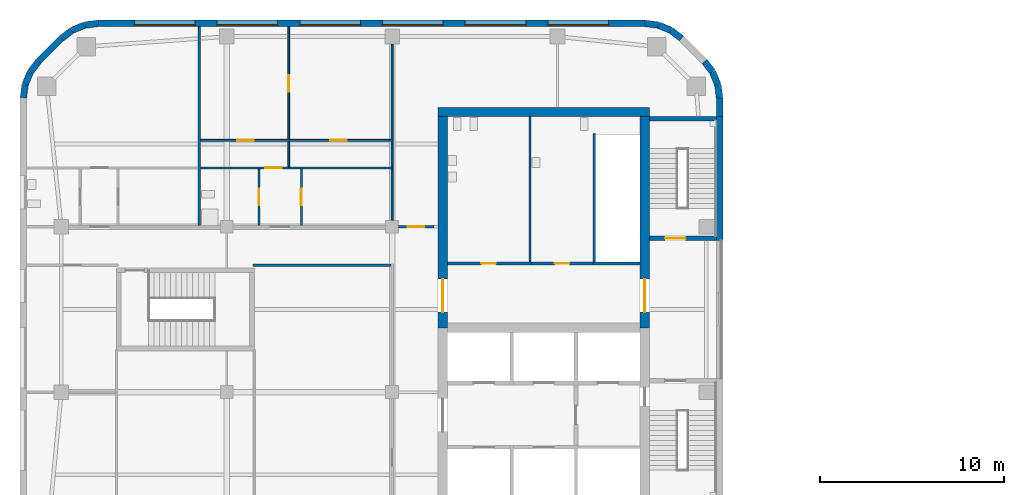
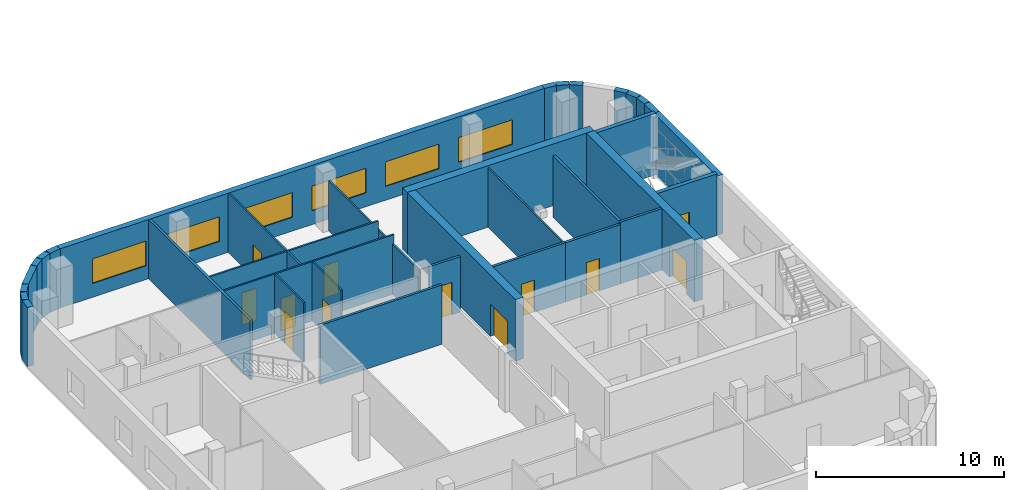
# One storey, part 7 of 16: 37 walls, 12 doors, 6 windows, 18 openings.
"""IFC4 building model written with IfcOpenShell, lengths in metres."""

from ifc_helpers import new_model, si_unit, direction, frame, frame_2d, origin, place, context, subcontext, project, spatial, rectangle, extrude, material, layer, layer_set, type_object, element, fill, save


model = new_model("IFC4")

# Units and contexts
model_context = context("Model", 3, precision=1e-05, world=origin(), true_north=direction((0.0, 1.0)))
body_context = subcontext(model_context, "Body", "Model", "MODEL_VIEW")
ifc_project = project(units=[si_unit("LENGTHUNIT", "METRE"), si_unit("AREAUNIT", "SQUARE_METRE"), si_unit("VOLUMEUNIT", "CUBIC_METRE"), si_unit("PLANEANGLEUNIT", "RADIAN"), si_unit("MASSUNIT", "GRAM", prefix="KILO")], contexts=[model_context])

# Site, building, storey
site_placement = place(None, origin())
site = spatial("IfcSite", under=ifc_project, at=site_placement, CompositionType="ELEMENT")
building_placement = place(site_placement, origin())
building = spatial("IfcBuilding", under=site, at=building_placement, Name="Cinnabar Reach Civic Tower", CompositionType="ELEMENT")
storey_placement = place(building_placement, frame((0.0, 0.0, 83.0)))
storey = spatial("IfcBuildingStorey", under=building, at=storey_placement, Name="L19", CompositionType="ELEMENT", Elevation=83.0)

# Walls
ifc_material_1 = material(Name="Facing brick with insulated backing", Category="masonry")
ifc_layer_1 = layer(ifc_material_1, 0.36)
ifc_layer_set_1 = layer_set([ifc_layer_1], Name="Brick corner wall")
wall_type_1 = type_object("IfcWallType", Name="Brick corner wall", PredefinedType="STANDARD", material=ifc_layer_set_1)
for number, where, z_axis, x_axis, name in (
    (1, (-27.183, 43.0186, 0.0), (0.0, 0.0, 1.0), (-0.13055608231, 0.99144092581, 0.0), "Brick corner wall"),
    (2, (-27.2819, 43.7473, 0.0), (0.0, 0.0, 1.0), (-0.382702709855, 0.923871547278, 0.0), "Brick corner wall"),
):
    element("IfcWall", number, at=place(storey_placement, frame(where, z_axis=z_axis, x_axis=x_axis)), inside=storey, type_object=wall_type_1, Name=name, PredefinedType="STANDARD", context=body_context, shape_type="SweptSolid", body=[
        extrude(rectangle(XDim=0.7131, YDim=0.36, at=frame_2d((0.3565, 0.0))), origin(), (0.0, 0.0, 1.0), 3.85),
    ])
for number, where, z_axis, x_axis, name in (
    (3, (-27.566, 44.4255, 0.0), (0.0, 0.0, 1.0), (-0.608802368033, 0.793321924995, 0.0), "Brick corner wall"),
    (4, (-29.2587, 46.2498, 0.0), (0.0, 0.0, 1.0), (-0.793321924995, 0.608802368033, 0.0), "Brick corner wall"),
):
    element("IfcWall", number, at=place(storey_placement, frame(where, z_axis=z_axis, x_axis=x_axis)), inside=storey, type_object=wall_type_1, Name=name, PredefinedType="STANDARD", context=body_context, shape_type="SweptSolid", body=[
        extrude(rectangle(XDim=0.7132, YDim=0.36, at=frame_2d((0.3566, 0.0))), origin(), (0.0, 0.0, 1.0), 3.85),
    ])
for number, where, z_axis, x_axis, name in (
    (5, (-29.8439, 46.6952, 0.0), (0.0, 0.0, 1.0), (-0.923871547278, 0.382702709855, 0.0), "Brick corner wall"),
    (6, (-30.5244, 46.9739, 0.0), (0.0, 0.0, 1.0), (-0.99144092581, 0.13055608231, 0.0), "Brick corner wall"),
    (7, (-61.0186, 47.067, 0.0), (0.0, 0.0, 1.0), (-0.99144092581, -0.13055608231, 0.0), "Brick corner wall"),
    (8, (-61.7473, 46.9681, 0.0), (0.0, 0.0, 1.0), (-0.923871547278, -0.382702709855, 0.0), "Brick corner wall"),
):
    element("IfcWall", number, at=place(storey_placement, frame(where, z_axis=z_axis, x_axis=x_axis)), inside=storey, type_object=wall_type_1, Name=name, PredefinedType="STANDARD", context=body_context, shape_type="SweptSolid", body=[
        extrude(rectangle(XDim=0.7131, YDim=0.36, at=frame_2d((0.3565, 0.0))), origin(), (0.0, 0.0, 1.0), 3.85),
    ])
for number, where, z_axis, x_axis, name in (
    (9, (-62.4255, 46.684, 0.0), (0.0, 0.0, 1.0), (-0.793321924995, -0.608802368033, 0.0), "Brick corner wall"),
    (10, (-64.2498, 44.9913, 0.0), (0.0, 0.0, 1.0), (-0.608802368033, -0.793321924995, 0.0), "Brick corner wall"),
):
    element("IfcWall", number, at=place(storey_placement, frame(where, z_axis=z_axis, x_axis=x_axis)), inside=storey, type_object=wall_type_1, Name=name, PredefinedType="STANDARD", context=body_context, shape_type="SweptSolid", body=[
        extrude(rectangle(XDim=0.7132, YDim=0.36, at=frame_2d((0.3566, 0.0))), origin(), (0.0, 0.0, 1.0), 3.85),
    ])
for number, where, z_axis, x_axis, name in (
    (11, (-64.6952, 44.4061, 0.0), (0.0, 0.0, 1.0), (-0.382702709855, -0.923871547278, 0.0), "Brick corner wall"),
    (12, (-64.9739, 43.7256, 0.0), (0.0, 0.0, 1.0), (-0.13055608231, -0.99144092581, 0.0), "Brick corner wall"),
):
    element("IfcWall", number, at=place(storey_placement, frame(where, z_axis=z_axis, x_axis=x_axis)), inside=storey, type_object=wall_type_1, Name=name, PredefinedType="STANDARD", context=body_context, shape_type="SweptSolid", body=[
        extrude(rectangle(XDim=0.7131, YDim=0.36, at=frame_2d((0.3565, 0.0))), origin(), (0.0, 0.0, 1.0), 3.85),
    ])
ifc_layer_2 = layer(ifc_material_1, 0.36)
ifc_layer_set_2 = layer_set([ifc_layer_2], Name="Brick pier and spandrel wall")
wall_type_2 = type_object("IfcWallType", Name="Brick pier and spandrel wall", PredefinedType="STANDARD", material=ifc_layer_set_2)
wall_1_placement = place(storey_placement, frame((-27.18, 35.25, 0.0), z_axis=(0.0, 0.0, 1.0), x_axis=(0.0, 1.0, 0.0)))
element("IfcWall", 13, at=wall_1_placement, inside=storey, type_object=wall_type_2, Name="Brick facade wall", PredefinedType="STANDARD", context=body_context, shape_type="SweptSolid", body=[
    extrude(rectangle(XDim=6.75, YDim=0.36, at=frame_2d((3.375, 0.0))), origin(), (0.0, 0.0, 1.0), 3.85),
])
wall_2_placement = place(storey_placement, frame((-27.18, 42.0, 0.0), z_axis=(0.0, 0.0, 1.0), x_axis=(0.0, 1.0, 0.0)))
element("IfcWall", 14, at=wall_2_placement, inside=storey, type_object=wall_type_2, Name="Brick facade wall", PredefinedType="STANDARD", context=body_context, shape_type="SweptSolid", body=[
    extrude(rectangle(XDim=1.0074, YDim=0.36, at=frame_2d((0.5037, 0.0))), origin(), (0.0, 0.0, 1.0), 3.85),
])

# Wall, openings, windows
wall_3_placement = place(storey_placement, frame((-31.2426, 47.07, 0.0), z_axis=(0.0, 0.0, 1.0), x_axis=(-1.0, 0.0, 0.0)))
wall_3 = element("IfcWall", 15, at=wall_3_placement, inside=storey, type_object=wall_type_2, Name="Brick facade wall", PredefinedType="STANDARD", context=body_context, shape_type="SweptSolid", body=[
    extrude(rectangle(XDim=29.7648, YDim=0.36, at=frame_2d((14.8824, 0.0))), origin(), (0.0, 0.0, 1.0), 3.85),
])
opening_1_placement = place(wall_3_placement, frame((1.9824, 0.0, 0.9)))
opening_1 = element("IfcOpeningElement", 16, at=opening_1_placement, cuts=wall_3, Name="Opening W2609", PredefinedType="OPENING", context=body_context, shape_type="SweptSolid", body=[
    extrude(rectangle(XDim=3.3, YDim=1.6, at=frame_2d((1.65, 0.8))), frame((0.0, 0.19, 0.0), z_axis=(0.0, -1.0, 0.0), x_axis=(1.0, 0.0, 0.0)), (0.0, 0.0, 1.0), 0.38),
])
opening_2_placement = place(wall_3_placement, frame((6.4824, 0.0, 0.9)))
opening_2 = element("IfcOpeningElement", 17, at=opening_2_placement, cuts=wall_3, Name="Opening W2610", PredefinedType="OPENING", context=body_context, shape_type="SweptSolid", body=[
    extrude(rectangle(XDim=3.3, YDim=1.6, at=frame_2d((1.65, 0.8))), frame((0.0, 0.19, 0.0), z_axis=(0.0, -1.0, 0.0), x_axis=(1.0, 0.0, 0.0)), (0.0, 0.0, 1.0), 0.38),
])
opening_3_placement = place(wall_3_placement, frame((10.9824, 0.0, 0.9)))
opening_3 = element("IfcOpeningElement", 18, at=opening_3_placement, cuts=wall_3, Name="Opening W2611", PredefinedType="OPENING", context=body_context, shape_type="SweptSolid", body=[
    extrude(rectangle(XDim=3.3, YDim=1.6, at=frame_2d((1.65, 0.8))), frame((0.0, 0.19, 0.0), z_axis=(0.0, -1.0, 0.0), x_axis=(1.0, 0.0, 0.0)), (0.0, 0.0, 1.0), 0.38),
])
opening_4_placement = place(wall_3_placement, frame((15.4824, 0.0, 0.9)))
opening_4 = element("IfcOpeningElement", 19, at=opening_4_placement, cuts=wall_3, Name="Opening W2612", PredefinedType="OPENING", context=body_context, shape_type="SweptSolid", body=[
    extrude(rectangle(XDim=3.3, YDim=1.6, at=frame_2d((1.65, 0.8))), frame((0.0, 0.19, 0.0), z_axis=(0.0, -1.0, 0.0), x_axis=(1.0, 0.0, 0.0)), (0.0, 0.0, 1.0), 0.38),
])
opening_5_placement = place(wall_3_placement, frame((19.9824, 0.0, 0.9)))
opening_5 = element("IfcOpeningElement", 20, at=opening_5_placement, cuts=wall_3, Name="Opening W2613", PredefinedType="OPENING", context=body_context, shape_type="SweptSolid", body=[
    extrude(rectangle(XDim=3.3, YDim=1.6, at=frame_2d((1.65, 0.8))), frame((0.0, 0.19, 0.0), z_axis=(0.0, -1.0, 0.0), x_axis=(1.0, 0.0, 0.0)), (0.0, 0.0, 1.0), 0.38),
])
opening_6_placement = place(wall_3_placement, frame((24.4824, 0.0, 0.9)))
opening_6 = element("IfcOpeningElement", 21, at=opening_6_placement, cuts=wall_3, Name="Opening W2614", PredefinedType="OPENING", context=body_context, shape_type="SweptSolid", body=[
    extrude(rectangle(XDim=3.3, YDim=1.6, at=frame_2d((1.65, 0.8))), frame((0.0, 0.19, 0.0), z_axis=(0.0, -1.0, 0.0), x_axis=(1.0, 0.0, 0.0)), (0.0, 0.0, 1.0), 0.38),
])
ifc_material_2 = material(Name="Clear double glazing in aluminium frame", Category="aluminium")
window_type = type_object("IfcWindowType", Name="Deep-set window A", PartitioningType="SINGLE_PANEL", PredefinedType="WINDOW", material=ifc_material_2)
window_1_placement = place(opening_1_placement, origin())
window_1 = element("IfcWindow", 22, at=window_1_placement, inside=storey, type_object=window_type, Name="Window north face", OverallHeight=1.6, OverallWidth=3.3, PartitioningType="SINGLE_PANEL", PredefinedType="WINDOW", context=body_context, shape_type="SweptSolid", body=[
    extrude(rectangle(XDim=3.3, YDim=1.6, at=frame_2d((1.65, 0.8))), frame((0.0, 0.13, 0.0), z_axis=(0.0, -1.0, 0.0), x_axis=(1.0, 0.0, 0.0)), (0.0, 0.0, 1.0), 0.06),
])
fill(opening_1, window_1)
window_2_placement = place(opening_2_placement, origin())
window_2 = element("IfcWindow", 23, at=window_2_placement, inside=storey, type_object=window_type, Name="Window north face", OverallHeight=1.6, OverallWidth=3.3, PartitioningType="SINGLE_PANEL", PredefinedType="WINDOW", context=body_context, shape_type="SweptSolid", body=[
    extrude(rectangle(XDim=3.3, YDim=1.6, at=frame_2d((1.65, 0.8))), frame((0.0, 0.13, 0.0), z_axis=(0.0, -1.0, 0.0), x_axis=(1.0, 0.0, 0.0)), (0.0, 0.0, 1.0), 0.06),
])
fill(opening_2, window_2)
window_3_placement = place(opening_3_placement, origin())
window_3 = element("IfcWindow", 24, at=window_3_placement, inside=storey, type_object=window_type, Name="Window north face", OverallHeight=1.6, OverallWidth=3.3, PartitioningType="SINGLE_PANEL", PredefinedType="WINDOW", context=body_context, shape_type="SweptSolid", body=[
    extrude(rectangle(XDim=3.3, YDim=1.6, at=frame_2d((1.65, 0.8))), frame((0.0, 0.13, 0.0), z_axis=(0.0, -1.0, 0.0), x_axis=(1.0, 0.0, 0.0)), (0.0, 0.0, 1.0), 0.06),
])
fill(opening_3, window_3)
window_4_placement = place(opening_4_placement, origin())
window_4 = element("IfcWindow", 25, at=window_4_placement, inside=storey, type_object=window_type, Name="Window north face", OverallHeight=1.6, OverallWidth=3.3, PartitioningType="SINGLE_PANEL", PredefinedType="WINDOW", context=body_context, shape_type="SweptSolid", body=[
    extrude(rectangle(XDim=3.3, YDim=1.6, at=frame_2d((1.65, 0.8))), frame((0.0, 0.13, 0.0), z_axis=(0.0, -1.0, 0.0), x_axis=(1.0, 0.0, 0.0)), (0.0, 0.0, 1.0), 0.06),
])
fill(opening_4, window_4)
window_5_placement = place(opening_5_placement, origin())
window_5 = element("IfcWindow", 26, at=window_5_placement, inside=storey, type_object=window_type, Name="Window north face", OverallHeight=1.6, OverallWidth=3.3, PartitioningType="SINGLE_PANEL", PredefinedType="WINDOW", context=body_context, shape_type="SweptSolid", body=[
    extrude(rectangle(XDim=3.3, YDim=1.6, at=frame_2d((1.65, 0.8))), frame((0.0, 0.13, 0.0), z_axis=(0.0, -1.0, 0.0), x_axis=(1.0, 0.0, 0.0)), (0.0, 0.0, 1.0), 0.06),
])
fill(opening_5, window_5)
window_6_placement = place(opening_6_placement, origin())
window_6 = element("IfcWindow", 27, at=window_6_placement, inside=storey, type_object=window_type, Name="Window north face", OverallHeight=1.6, OverallWidth=3.3, PartitioningType="SINGLE_PANEL", PredefinedType="WINDOW", context=body_context, shape_type="SweptSolid", body=[
    extrude(rectangle(XDim=3.3, YDim=1.6, at=frame_2d((1.65, 0.8))), frame((0.0, 0.13, 0.0), z_axis=(0.0, -1.0, 0.0), x_axis=(1.0, 0.0, 0.0)), (0.0, 0.0, 1.0), 0.06),
])
fill(opening_6, window_6)

# Walls
wall_4_placement = place(storey_placement, frame((-63.0014, 46.244, 0.0), z_axis=(0.0, 0.0, 1.0), x_axis=(-0.707106781187, -0.707106781187, 0.0)))
element("IfcWall", 28, at=wall_4_placement, inside=storey, type_object=wall_type_2, Name="Brick facade wall", PredefinedType="STANDARD", context=body_context, shape_type="SweptSolid", body=[
    extrude(rectangle(XDim=1.7573, YDim=0.36, at=frame_2d((0.8787, 0.0))), origin(), (0.0, 0.0, 1.0), 3.85),
])
ifc_material_3 = material(Name="Concrete C60", Category="concrete")
ifc_layer_3 = layer(ifc_material_3, 0.5)
ifc_layer_set_3 = layer_set([ifc_layer_3], Name="Core wall 500 EI 180")
wall_type_3 = type_object("IfcWallType", Name="Core wall 500 EI 180", PredefinedType="SOLIDWALL", material=ifc_layer_set_3)
wall_5_placement = place(storey_placement, frame((-31.0, 42.25, 0.0), z_axis=(0.0, 0.0, 1.0), x_axis=(-1.0, 0.0, 0.0)))
element("IfcWall", 29, at=wall_5_placement, inside=storey, type_object=wall_type_3, Name="Core wall T2 L19 N", PredefinedType="SOLIDWALL", context=body_context, shape_type="SweptSolid", body=[
    extrude(rectangle(XDim=11.5, YDim=0.5, at=frame_2d((5.75, 0.0))), origin(), (0.0, 0.0, 1.0), 4.0),
])

# Wall, opening, door
wall_6_placement = place(storey_placement, frame((-31.25, 30.5, 0.0), z_axis=(0.0, 0.0, 1.0), x_axis=(0.0, 1.0, 0.0)))
wall_6 = element("IfcWall", 30, at=wall_6_placement, inside=storey, type_object=wall_type_3, Name="Core wall T2 L19 E2", PredefinedType="SOLIDWALL", context=body_context, shape_type="SweptSolid", body=[
    extrude(rectangle(XDim=11.5, YDim=0.5, at=frame_2d((5.75, 0.0))), origin(), (0.0, 0.0, 1.0), 4.0),
])
opening_7_placement = place(wall_6_placement, frame((0.85, 0.0, 0.0)))
opening_7 = element("IfcOpeningElement", 31, at=opening_7_placement, cuts=wall_6, Name="Opening D6716", PredefinedType="OPENING", context=body_context, shape_type="SweptSolid", body=[
    extrude(rectangle(XDim=1.8, YDim=2.1, at=frame_2d((0.9, 1.05))), frame((0.0, 0.26, 0.0), z_axis=(0.0, -1.0, 0.0), x_axis=(1.0, 0.0, 0.0)), (0.0, 0.0, 1.0), 0.52),
])
ifc_material_4 = material(Name="Steel fire door", Category="steel")
door_type_1 = type_object("IfcDoorType", Name="T2 Double door 1800", OperationType="DOUBLE_DOOR_SINGLE_SWING", PredefinedType="DOOR", material=ifc_material_4)
door_1_placement = place(opening_7_placement, origin())
door_1 = element("IfcDoor", 32, at=door_1_placement, inside=storey, type_object=door_type_1, Name="T2 Double door D6716", OperationType="DOUBLE_DOOR_SINGLE_SWING", OverallHeight=2.1, OverallWidth=1.8, PredefinedType="DOOR", context=body_context, shape_type="SweptSolid", body=[
    extrude(rectangle(XDim=1.8, YDim=2.1, at=frame_2d((0.9, 1.05))), frame((0.0, 0.025, 0.0), z_axis=(0.0, -1.0, 0.0), x_axis=(1.0, 0.0, 0.0)), (0.0, 0.0, 1.0), 0.05),
])
fill(opening_7, door_1)

wall_7_placement = place(storey_placement, frame((-42.25, 42.0, 0.0), z_axis=(0.0, 0.0, 1.0), x_axis=(0.0, -1.0, 0.0)))
wall_7 = element("IfcWall", 33, at=wall_7_placement, inside=storey, type_object=wall_type_3, Name="Core wall T2 L19 W", PredefinedType="SOLIDWALL", context=body_context, shape_type="SweptSolid", body=[
    extrude(rectangle(XDim=11.5, YDim=0.5, at=frame_2d((5.75, 0.0))), origin(), (0.0, 0.0, 1.0), 4.0),
])
opening_8_placement = place(wall_7_placement, frame((8.85, 0.0, 0.0)))
opening_8 = element("IfcOpeningElement", 34, at=opening_8_placement, cuts=wall_7, Name="Opening D6718", PredefinedType="OPENING", context=body_context, shape_type="SweptSolid", body=[
    extrude(rectangle(XDim=1.8, YDim=2.1, at=frame_2d((0.9, 1.05))), frame((0.0, 0.26, 0.0), z_axis=(0.0, -1.0, 0.0), x_axis=(1.0, 0.0, 0.0)), (0.0, 0.0, 1.0), 0.52),
])
door_2_placement = place(opening_8_placement, frame((1.8, 0.0, 0.0), z_axis=(0.0, 0.0, 1.0), x_axis=(-1.0, 0.0, 0.0)))
door_2 = element("IfcDoor", 35, at=door_2_placement, inside=storey, type_object=door_type_1, Name="T2 Double door D6718", OperationType="DOUBLE_DOOR_SINGLE_SWING", OverallHeight=2.1, OverallWidth=1.8, PredefinedType="DOOR", context=body_context, shape_type="SweptSolid", body=[
    extrude(rectangle(XDim=1.8, YDim=2.1, at=frame_2d((0.9, 1.05))), frame((0.0, 0.025, 0.0), z_axis=(0.0, -1.0, 0.0), x_axis=(1.0, 0.0, 0.0)), (0.0, 0.0, 1.0), 0.05),
])
fill(opening_8, door_2)

ifc_material_5 = material(Name="Gypsum board on steel studs, double layer", Category="steel")
ifc_layer_4 = layer(ifc_material_5, 0.15)
ifc_layer_set_4 = layer_set([ifc_layer_4], Name="Corridor wall 150 T2")
wall_type_4 = type_object("IfcWallType", Name="Corridor wall 150 T2", PredefinedType="PARTITIONING", material=ifc_layer_set_4)
wall_8_placement = place(storey_placement, frame((-44.65, 36.0, 0.0), z_axis=(0.0, 0.0, 1.0), x_axis=(1.0, 0.0, 0.0)))
wall_8 = element("IfcWall", 36, at=wall_8_placement, inside=storey, type_object=wall_type_4, Name="Corridor wall 5", PredefinedType="PARTITIONING", context=body_context, shape_type="SweptSolid", body=[
    extrude(rectangle(XDim=1.925, YDim=0.15, at=frame_2d((0.9625, 0.0))), origin(), (0.0, 0.0, 1.0), 3.602),
])
opening_9_placement = place(wall_8_placement, frame((0.5, 0.0, 0.0)))
opening_9 = element("IfcOpeningElement", 37, at=opening_9_placement, cuts=wall_8, Name="Opening D6721", PredefinedType="OPENING", context=body_context, shape_type="SweptSolid", body=[
    extrude(rectangle(XDim=0.9, YDim=2.1, at=frame_2d((0.45, 1.05))), frame((0.0, 0.085, 0.0), z_axis=(0.0, -1.0, 0.0), x_axis=(1.0, 0.0, 0.0)), (0.0, 0.0, 1.0), 0.17),
])
ifc_material_6 = material(Name="Timber door leaf in steel frame", Category="steel")
door_type_2 = type_object("IfcDoorType", Name="Single swing door 900 x 2100 T2", OperationType="SINGLE_SWING_LEFT", PredefinedType="DOOR", material=ifc_material_6)
door_3_placement = place(opening_9_placement, origin())
door_3 = element("IfcDoor", 38, at=door_3_placement, inside=storey, type_object=door_type_2, Name="Door D6721", OperationType="SINGLE_SWING_LEFT", OverallHeight=2.1, OverallWidth=0.9, PredefinedType="DOOR", context=body_context, shape_type="SweptSolid", body=[
    extrude(rectangle(XDim=0.9, YDim=2.1, at=frame_2d((0.45, 1.05))), frame((0.0, 0.025, 0.0), z_axis=(0.0, -1.0, 0.0), x_axis=(1.0, 0.0, 0.0)), (0.0, 0.0, 1.0), 0.05),
])
fill(opening_9, door_3)

# Wall
wall_9_placement = place(storey_placement, frame((-52.575, 33.9, 0.0), z_axis=(0.0, 0.0, 1.0), x_axis=(1.0, 0.0, 0.0)))
element("IfcWall", 39, at=wall_9_placement, inside=storey, type_object=wall_type_4, Name="Corridor wall 12", PredefinedType="PARTITIONING", context=body_context, shape_type="SweptSolid", body=[
    extrude(rectangle(XDim=7.5, YDim=0.15, at=frame_2d((3.75, 0.0))), origin(), (0.0, 0.0, 1.0), 3.85),
])

# Wall, opening, door
ifc_material_7 = material(Name="Gypsum board on steel studs", Category="steel")
ifc_layer_5 = layer(ifc_material_7, 0.1)
ifc_layer_set_5 = layer_set([ifc_layer_5], Name="Partition wall 100 T2")
wall_type_5 = type_object("IfcWallType", Name="Partition wall 100 T2", PredefinedType="PARTITIONING", material=ifc_layer_set_5)
wall_10_placement = place(storey_placement, frame((-55.425, 39.2, 0.0), z_axis=(0.0, 0.0, 1.0), x_axis=(1.0, 0.0, 0.0)))
wall_10 = element("IfcWall", 40, at=wall_10_placement, inside=storey, type_object=wall_type_5, Name="Partition wall 18", PredefinedType="PARTITIONING", context=body_context, shape_type="SweptSolid", body=[
    extrude(rectangle(XDim=10.475, YDim=0.1, at=frame_2d((5.2375, 0.0))), origin(), (0.0, 0.0, 1.0), 3.85),
])
opening_10_placement = place(wall_10_placement, frame((3.53, 0.0, 0.0)))
opening_10 = element("IfcOpeningElement", 41, at=opening_10_placement, cuts=wall_10, Name="Opening D6738", PredefinedType="OPENING", context=body_context, shape_type="SweptSolid", body=[
    extrude(rectangle(XDim=0.9, YDim=2.1, at=frame_2d((0.45, 1.05))), frame((0.0, 0.06, 0.0), z_axis=(0.0, -1.0, 0.0), x_axis=(1.0, 0.0, 0.0)), (0.0, 0.0, 1.0), 0.12),
])
door_4_placement = place(opening_10_placement, origin())
door_4 = element("IfcDoor", 42, at=door_4_placement, inside=storey, type_object=door_type_2, Name="Door D6738", OperationType="SINGLE_SWING_RIGHT", OverallHeight=2.1, OverallWidth=0.9, PredefinedType="DOOR", context=body_context, shape_type="SweptSolid", body=[
    extrude(rectangle(XDim=0.9, YDim=2.1, at=frame_2d((0.45, 1.05))), frame((0.0, 0.025, 0.0), z_axis=(0.0, -1.0, 0.0), x_axis=(1.0, 0.0, 0.0)), (0.0, 0.0, 1.0), 0.05),
])
fill(opening_10, door_4)

# Walls
wall_11_placement = place(storey_placement, frame((-45.0, 39.25, 0.0), z_axis=(0.0, 0.0, 1.0), x_axis=(0.0, 1.0, 0.0)))
element("IfcWall", 43, at=wall_11_placement, inside=storey, type_object=wall_type_5, Name="Partition wall 20", PredefinedType="PARTITIONING", context=body_context, shape_type="SweptSolid", body=[
    extrude(rectangle(XDim=6.7, YDim=0.1, at=frame_2d((3.35, 0.0))), origin(), (0.0, 0.0, 1.0), 3.256),
])
wall_12_placement = place(storey_placement, frame((-45.0, 36.35, 0.0), z_axis=(0.0, 0.0, 1.0), x_axis=(0.0, 1.0, 0.0)))
element("IfcWall", 44, at=wall_12_placement, inside=storey, type_object=wall_type_5, Name="Partition wall 21", PredefinedType="PARTITIONING", context=body_context, shape_type="SweptSolid", body=[
    extrude(rectangle(XDim=2.8, YDim=0.1, at=frame_2d((1.4, 0.0))), origin(), (0.0, 0.0, 1.0), 3.256),
])

# Wall, openings, doors
wall_13_placement = place(storey_placement, frame((-55.425, 40.7, 0.0), z_axis=(0.0, 0.0, 1.0), x_axis=(1.0, 0.0, 0.0)))
wall_13 = element("IfcWall", 45, at=wall_13_placement, inside=storey, type_object=wall_type_5, Name="Partition wall 22", PredefinedType="PARTITIONING", context=body_context, shape_type="SweptSolid", body=[
    extrude(rectangle(XDim=10.375, YDim=0.1, at=frame_2d((5.1875, 0.0))), origin(), (0.0, 0.0, 1.0), 3.85),
])
opening_11_placement = place(wall_13_placement, frame((2.0, 0.0, 0.0)))
opening_11 = element("IfcOpeningElement", 46, at=opening_11_placement, cuts=wall_13, Name="Opening D6740", PredefinedType="OPENING", context=body_context, shape_type="SweptSolid", body=[
    extrude(rectangle(XDim=0.9, YDim=2.1, at=frame_2d((0.45, 1.05))), frame((0.0, 0.06, 0.0), z_axis=(0.0, -1.0, 0.0), x_axis=(1.0, 0.0, 0.0)), (0.0, 0.0, 1.0), 0.12),
])
opening_12_placement = place(wall_13_placement, frame((7.045, 0.0, 0.0)))
opening_12 = element("IfcOpeningElement", 47, at=opening_12_placement, cuts=wall_13, Name="Opening D6741", PredefinedType="OPENING", context=body_context, shape_type="SweptSolid", body=[
    extrude(rectangle(XDim=0.9, YDim=2.1, at=frame_2d((0.45, 1.05))), frame((0.0, 0.06, 0.0), z_axis=(0.0, -1.0, 0.0), x_axis=(1.0, 0.0, 0.0)), (0.0, 0.0, 1.0), 0.12),
])
door_5_placement = place(opening_11_placement, frame((0.9, 0.0, 0.0), z_axis=(0.0, 0.0, 1.0), x_axis=(-1.0, 0.0, 0.0)))
door_5 = element("IfcDoor", 48, at=door_5_placement, inside=storey, type_object=door_type_2, Name="Door D6740", OperationType="SINGLE_SWING_RIGHT", OverallHeight=2.1, OverallWidth=0.9, PredefinedType="DOOR", context=body_context, shape_type="SweptSolid", body=[
    extrude(rectangle(XDim=0.9, YDim=2.1, at=frame_2d((0.45, 1.05))), frame((0.0, 0.025, 0.0), z_axis=(0.0, -1.0, 0.0), x_axis=(1.0, 0.0, 0.0)), (0.0, 0.0, 1.0), 0.05),
])
fill(opening_11, door_5)
door_6_placement = place(opening_12_placement, origin())
door_6 = element("IfcDoor", 49, at=door_6_placement, inside=storey, type_object=door_type_2, Name="Door D6741", OperationType="SINGLE_SWING_RIGHT", OverallHeight=2.1, OverallWidth=0.9, PredefinedType="DOOR", context=body_context, shape_type="SweptSolid", body=[
    extrude(rectangle(XDim=0.9, YDim=2.1, at=frame_2d((0.45, 1.05))), frame((0.0, 0.025, 0.0), z_axis=(0.0, -1.0, 0.0), x_axis=(1.0, 0.0, 0.0)), (0.0, 0.0, 1.0), 0.05),
])
fill(opening_12, door_6)

# Wall
wall_14_placement = place(storey_placement, frame((-50.63, 39.25, 0.0), z_axis=(0.0, 0.0, 1.0), x_axis=(0.0, 1.0, 0.0)))
element("IfcWall", 50, at=wall_14_placement, inside=storey, type_object=wall_type_5, Name="Partition wall 28", PredefinedType="PARTITIONING", context=body_context, shape_type="SweptSolid", body=[
    extrude(rectangle(XDim=1.4, YDim=0.1, at=frame_2d((0.7, 0.0))), origin(), (0.0, 0.0, 1.0), 3.85),
])

# Wall, opening, door
wall_15_placement = place(storey_placement, frame((-50.63, 40.75, 0.0), z_axis=(0.0, 0.0, 1.0), x_axis=(0.0, 1.0, 0.0)))
wall_15 = element("IfcWall", 51, at=wall_15_placement, inside=storey, type_object=wall_type_5, Name="Partition wall 29", PredefinedType="PARTITIONING", context=body_context, shape_type="SweptSolid", body=[
    extrude(rectangle(XDim=6.14, YDim=0.1, at=frame_2d((3.07, 0.0))), origin(), (0.0, 0.0, 1.0), 3.85),
])
opening_13_placement = place(wall_15_placement, frame((2.6, 0.0, 0.0)))
opening_13 = element("IfcOpeningElement", 52, at=opening_13_placement, cuts=wall_15, Name="Opening D6739", PredefinedType="OPENING", context=body_context, shape_type="SweptSolid", body=[
    extrude(rectangle(XDim=0.9, YDim=2.1, at=frame_2d((0.45, 1.05))), frame((0.0, 0.06, 0.0), z_axis=(0.0, -1.0, 0.0), x_axis=(1.0, 0.0, 0.0)), (0.0, 0.0, 1.0), 0.12),
])
door_7_placement = place(opening_13_placement, frame((0.9, 0.0, 0.0), z_axis=(0.0, 0.0, 1.0), x_axis=(-1.0, 0.0, 0.0)))
door_7 = element("IfcDoor", 53, at=door_7_placement, inside=storey, type_object=door_type_2, Name="Door D6739", OperationType="SINGLE_SWING_LEFT", OverallHeight=2.1, OverallWidth=0.9, PredefinedType="DOOR", context=body_context, shape_type="SweptSolid", body=[
    extrude(rectangle(XDim=0.9, YDim=2.1, at=frame_2d((0.45, 1.05))), frame((0.0, 0.025, 0.0), z_axis=(0.0, -1.0, 0.0), x_axis=(1.0, 0.0, 0.0)), (0.0, 0.0, 1.0), 0.05),
])
fill(opening_13, door_7)

wall_16_placement = place(storey_placement, frame((-52.245, 36.075, 0.0), z_axis=(0.0, 0.0, 1.0), x_axis=(0.0, 1.0, 0.0)))
wall_16 = element("IfcWall", 54, at=wall_16_placement, inside=storey, type_object=wall_type_5, Name="Partition wall 35", PredefinedType="PARTITIONING", context=body_context, shape_type="SweptSolid", body=[
    extrude(rectangle(XDim=3.075, YDim=0.1, at=frame_2d((1.5375, 0.0))), origin(), (0.0, 0.0, 1.0), 3.85),
])
opening_14_placement = place(wall_16_placement, frame((1.1, 0.0, 0.0)))
opening_14 = element("IfcOpeningElement", 55, at=opening_14_placement, cuts=wall_16, Name="Opening D6736", PredefinedType="OPENING", context=body_context, shape_type="SweptSolid", body=[
    extrude(rectangle(XDim=0.9, YDim=2.1, at=frame_2d((0.45, 1.05))), frame((0.0, 0.06, 0.0), z_axis=(0.0, -1.0, 0.0), x_axis=(1.0, 0.0, 0.0)), (0.0, 0.0, 1.0), 0.12),
])
door_8_placement = place(opening_14_placement, origin())
door_8 = element("IfcDoor", 56, at=door_8_placement, inside=storey, type_object=door_type_2, Name="Door D6736", OperationType="SINGLE_SWING_RIGHT", OverallHeight=2.1, OverallWidth=0.9, PredefinedType="DOOR", context=body_context, shape_type="SweptSolid", body=[
    extrude(rectangle(XDim=0.9, YDim=2.1, at=frame_2d((0.45, 1.05))), frame((0.0, 0.025, 0.0), z_axis=(0.0, -1.0, 0.0), x_axis=(1.0, 0.0, 0.0)), (0.0, 0.0, 1.0), 0.05),
])
fill(opening_14, door_8)

wall_17_placement = place(storey_placement, frame((-49.935, 36.075, 0.0), z_axis=(0.0, 0.0, 1.0), x_axis=(0.0, 1.0, 0.0)))
wall_17 = element("IfcWall", 57, at=wall_17_placement, inside=storey, type_object=wall_type_5, Name="Partition wall 36", PredefinedType="PARTITIONING", context=body_context, shape_type="SweptSolid", body=[
    extrude(rectangle(XDim=3.075, YDim=0.1, at=frame_2d((1.5375, 0.0))), origin(), (0.0, 0.0, 1.0), 3.85),
])
opening_15_placement = place(wall_17_placement, frame((1.1, 0.0, 0.0)))
opening_15 = element("IfcOpeningElement", 58, at=opening_15_placement, cuts=wall_17, Name="Opening D6737", PredefinedType="OPENING", context=body_context, shape_type="SweptSolid", body=[
    extrude(rectangle(XDim=0.9, YDim=2.1, at=frame_2d((0.45, 1.05))), frame((0.0, 0.06, 0.0), z_axis=(0.0, -1.0, 0.0), x_axis=(1.0, 0.0, 0.0)), (0.0, 0.0, 1.0), 0.12),
])
door_9_placement = place(opening_15_placement, origin())
door_9 = element("IfcDoor", 59, at=door_9_placement, inside=storey, type_object=door_type_2, Name="Door D6737", OperationType="SINGLE_SWING_RIGHT", OverallHeight=2.1, OverallWidth=0.9, PredefinedType="DOOR", context=body_context, shape_type="SweptSolid", body=[
    extrude(rectangle(XDim=0.9, YDim=2.1, at=frame_2d((0.45, 1.05))), frame((0.0, 0.025, 0.0), z_axis=(0.0, -1.0, 0.0), x_axis=(1.0, 0.0, 0.0)), (0.0, 0.0, 1.0), 0.05),
])
fill(opening_15, door_9)

ifc_layer_6 = layer(ifc_material_3, 0.25)
ifc_layer_set_6 = layer_set([ifc_layer_6], Name="Stair shaft wall 250 EI 120")
wall_type_6 = type_object("IfcWallType", Name="Stair shaft wall 250 EI 120", PredefinedType="SOLIDWALL", material=ifc_layer_set_6)
wall_18_placement = place(storey_placement, frame((-31.0, 35.375, 0.0), z_axis=(0.0, 0.0, 1.0), x_axis=(1.0, 0.0, 0.0)))
wall_18 = element("IfcWall", 60, at=wall_18_placement, inside=storey, type_object=wall_type_6, Name="Stair shaft wall T2-S2 L19", PredefinedType="SOLIDWALL", context=body_context, shape_type="SweptSolid", body=[
    extrude(rectangle(XDim=3.64, YDim=0.25, at=frame_2d((1.82, 0.0))), origin(), (0.0, 0.0, 1.0), 4.0),
])
opening_16_placement = place(wall_18_placement, frame((0.85, 0.0, 0.0)))
opening_16 = element("IfcOpeningElement", 61, at=opening_16_placement, cuts=wall_18, Name="Opening D6715", PredefinedType="OPENING", context=body_context, shape_type="SweptSolid", body=[
    extrude(rectangle(XDim=1.1, YDim=2.1, at=frame_2d((0.55, 1.05))), frame((0.0, 0.135, 0.0), z_axis=(0.0, -1.0, 0.0), x_axis=(1.0, 0.0, 0.0)), (0.0, 0.0, 1.0), 0.27),
])
door_type_3 = type_object("IfcDoorType", Name="T2 Stair door 1100", OperationType="SINGLE_SWING_LEFT", PredefinedType="DOOR", material=ifc_material_4)
door_10_placement = place(opening_16_placement, origin())
door_10 = element("IfcDoor", 62, at=door_10_placement, inside=storey, type_object=door_type_3, Name="T2 Stair door D6715", OperationType="SINGLE_SWING_RIGHT", OverallHeight=2.1, OverallWidth=1.1, PredefinedType="DOOR", context=body_context, shape_type="SweptSolid", body=[
    extrude(rectangle(XDim=1.1, YDim=2.1, at=frame_2d((0.55, 1.05))), frame((0.0, 0.025, 0.0), z_axis=(0.0, -1.0, 0.0), x_axis=(1.0, 0.0, 0.0)), (0.0, 0.0, 1.0), 0.05),
])
fill(opening_16, door_10)

# Wall
wall_19_placement = place(storey_placement, frame((-27.36, 41.875, 0.0), z_axis=(0.0, 0.0, 1.0), x_axis=(-1.0, 0.0, 0.0)))
element("IfcWall", 63, at=wall_19_placement, inside=storey, type_object=wall_type_6, Name="Stair shaft wall T2-S2 L19", PredefinedType="SOLIDWALL", context=body_context, shape_type="SweptSolid", body=[
    extrude(rectangle(XDim=3.64, YDim=0.25, at=frame_2d((1.82, 0.0))), origin(), (0.0, 0.0, 1.0), 4.0),
])

# Wall, opening, door
ifc_material_8 = material(Name="Masonry block partition", Category="masonry")
ifc_layer_7 = layer(ifc_material_8, 0.15)
ifc_layer_set_7 = layer_set([ifc_layer_7], Name="T2 Corridor wall 150")
wall_type_7 = type_object("IfcWallType", Name="T2 Corridor wall 150", PredefinedType="PARTITIONING", material=ifc_layer_set_7)
wall_20_placement = place(storey_placement, frame((-37.425, 34.0, 0.0), z_axis=(0.0, 0.0, 1.0), x_axis=(-1.0, 0.0, 0.0)))
wall_20 = element("IfcWall", 64, at=wall_20_placement, inside=storey, type_object=wall_type_7, Name="T2 Corridor wall L19 014", PredefinedType="PARTITIONING", context=body_context, shape_type="SweptSolid", body=[
    extrude(rectangle(XDim=4.575, YDim=0.15, at=frame_2d((2.2875, 0.0))), origin(), (0.0, 0.0, 1.0), 3.85),
])
opening_17_placement = place(wall_20_placement, frame((1.925, 0.0, 0.0)))
opening_17 = element("IfcOpeningElement", 65, at=opening_17_placement, cuts=wall_20, Name="Opening D6719", PredefinedType="OPENING", context=body_context, shape_type="SweptSolid", body=[
    extrude(rectangle(XDim=0.8, YDim=2.1, at=frame_2d((0.4, 1.05))), frame((0.0, 0.085, 0.0), z_axis=(0.0, -1.0, 0.0), x_axis=(1.0, 0.0, 0.0)), (0.0, 0.0, 1.0), 0.17),
])
ifc_material_9 = material(Name="Timber door leaf", Category="wood")
door_type_4 = type_object("IfcDoorType", Name="T2 Bathroom door 800", OperationType="SINGLE_SWING_LEFT", PredefinedType="DOOR", material=ifc_material_9)
door_11_placement = place(opening_17_placement, frame((0.8, 0.0, 0.0), z_axis=(0.0, 0.0, 1.0), x_axis=(-1.0, 0.0, 0.0)))
door_11 = element("IfcDoor", 66, at=door_11_placement, inside=storey, type_object=door_type_4, Name="T2 Bathroom door D6719", OperationType="SINGLE_SWING_RIGHT", OverallHeight=2.1, OverallWidth=0.8, PredefinedType="DOOR", context=body_context, shape_type="SweptSolid", body=[
    extrude(rectangle(XDim=0.8, YDim=2.1, at=frame_2d((0.4, 1.05))), frame((0.0, 0.025, 0.0), z_axis=(0.0, -1.0, 0.0), x_axis=(1.0, 0.0, 0.0)), (0.0, 0.0, 1.0), 0.05),
])
fill(opening_17, door_11)

wall_21_placement = place(storey_placement, frame((-34.075, 34.0, 0.0), z_axis=(0.0, 0.0, 1.0), x_axis=(-1.0, 0.0, 0.0)))
wall_21 = element("IfcWall", 67, at=wall_21_placement, inside=storey, type_object=wall_type_7, Name="T2 Corridor wall L19 015", PredefinedType="PARTITIONING", context=body_context, shape_type="SweptSolid", body=[
    extrude(rectangle(XDim=3.35, YDim=0.15, at=frame_2d((1.675, 0.0))), origin(), (0.0, 0.0, 1.0), 3.85),
])
opening_18_placement = place(wall_21_placement, frame((1.275, 0.0, 0.0)))
opening_18 = element("IfcOpeningElement", 68, at=opening_18_placement, cuts=wall_21, Name="Opening D6720", PredefinedType="OPENING", context=body_context, shape_type="SweptSolid", body=[
    extrude(rectangle(XDim=0.8, YDim=2.1, at=frame_2d((0.4, 1.05))), frame((0.0, 0.085, 0.0), z_axis=(0.0, -1.0, 0.0), x_axis=(1.0, 0.0, 0.0)), (0.0, 0.0, 1.0), 0.17),
])
door_12_placement = place(opening_18_placement, frame((0.8, 0.0, 0.0), z_axis=(0.0, 0.0, 1.0), x_axis=(-1.0, 0.0, 0.0)))
door_12 = element("IfcDoor", 69, at=door_12_placement, inside=storey, type_object=door_type_4, Name="T2 Bathroom door D6720", OperationType="SINGLE_SWING_RIGHT", OverallHeight=2.1, OverallWidth=0.8, PredefinedType="DOOR", context=body_context, shape_type="SweptSolid", body=[
    extrude(rectangle(XDim=0.8, YDim=2.1, at=frame_2d((0.4, 1.05))), frame((0.0, 0.025, 0.0), z_axis=(0.0, -1.0, 0.0), x_axis=(1.0, 0.0, 0.0)), (0.0, 0.0, 1.0), 0.05),
])
fill(opening_18, door_12)

# Walls
ifc_material_10 = material(Name="Gypsum board partition")
ifc_layer_8 = layer(ifc_material_10, 0.1)
ifc_layer_set_8 = layer_set([ifc_layer_8], Name="T2 Internal partition 100")
wall_type_8 = type_object("IfcWallType", Name="T2 Internal partition 100", PredefinedType="PARTITIONING", material=ifc_layer_set_8)
wall_22_placement = place(storey_placement, frame((-37.5, 34.075, 0.0), z_axis=(0.0, 0.0, 1.0), x_axis=(0.0, 1.0, 0.0)))
element("IfcWall", 70, at=wall_22_placement, inside=storey, type_object=wall_type_8, Name="T2 Internal partition L19 016", PredefinedType="PARTITIONING", context=body_context, shape_type="SweptSolid", body=[
    extrude(rectangle(XDim=7.925, YDim=0.1, at=frame_2d((3.9625, 0.0))), origin(), (0.0, 0.0, 1.0), 3.85),
])
ifc_material_11 = material(Name="Concrete C40", Category="concrete")
ifc_layer_9 = layer(ifc_material_11, 0.15)
ifc_layer_set_9 = layer_set([ifc_layer_9], Name="T2 Riser wall 150")
wall_type_9 = type_object("IfcWallType", Name="T2 Riser wall 150", PredefinedType="SOLIDWALL", material=ifc_layer_set_9)
wall_23_placement = place(storey_placement, frame((-34.075, 34.0, 0.0), z_axis=(0.0, 0.0, 1.0), x_axis=(1.0, 0.0, 0.0)))
element("IfcWall", 71, at=wall_23_placement, inside=storey, type_object=wall_type_9, Name="T2 Riser wall L19 012", PredefinedType="SOLIDWALL", context=body_context, shape_type="SweptSolid", body=[
    extrude(rectangle(XDim=2.575, YDim=0.15, at=frame_2d((1.2875, 0.0))), origin(), (0.0, 0.0, 1.0), 4.0),
])
wall_24_placement = place(storey_placement, frame((-34.0, 41.075, 0.0), z_axis=(0.0, 0.0, 1.0), x_axis=(0.0, -1.0, 0.0)))
element("IfcWall", 72, at=wall_24_placement, inside=storey, type_object=wall_type_9, Name="T2 Riser wall L19 013", PredefinedType="SOLIDWALL", context=body_context, shape_type="SweptSolid", body=[
    extrude(rectangle(XDim=7.0, YDim=0.15, at=frame_2d((3.5, 0.0))), origin(), (0.0, 0.0, 1.0), 4.0),
])
ifc_layer_10 = layer(ifc_material_5, 0.15)
ifc_layer_set_10 = layer_set([ifc_layer_10], Name="Tenancy separating wall 150 T2")
wall_type_10 = type_object("IfcWallType", Name="Tenancy separating wall 150 T2", PredefinedType="PARTITIONING", material=ifc_layer_set_10)
wall_25_placement = place(storey_placement, frame((-55.5, 36.075, 0.0), z_axis=(0.0, 0.0, 1.0), x_axis=(0.0, 1.0, 0.0)))
element("IfcWall", 73, at=wall_25_placement, inside=storey, type_object=wall_type_10, Name="Tenancy separating wall 14", PredefinedType="PARTITIONING", context=body_context, shape_type="SweptSolid", body=[
    extrude(rectangle(XDim=10.815, YDim=0.15, at=frame_2d((5.4075, 0.0))), origin(), (0.0, 0.0, 1.0), 3.85),
])

save(model, "model.ifc")
